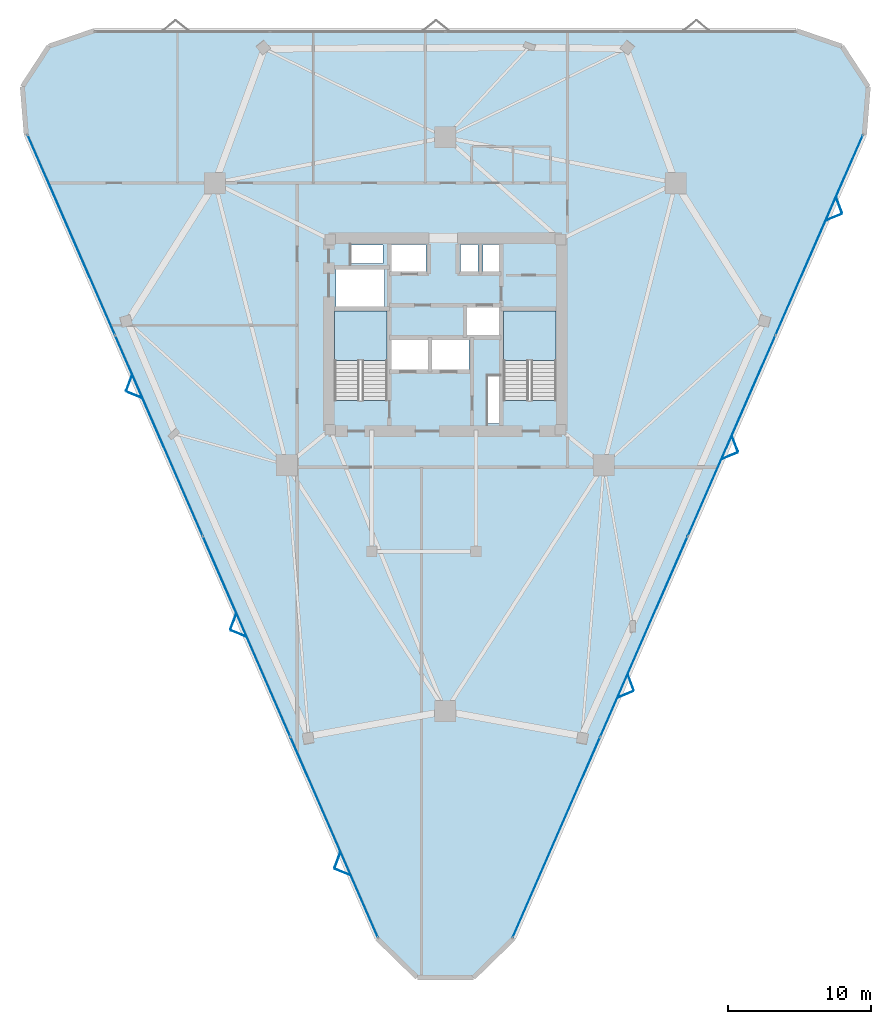
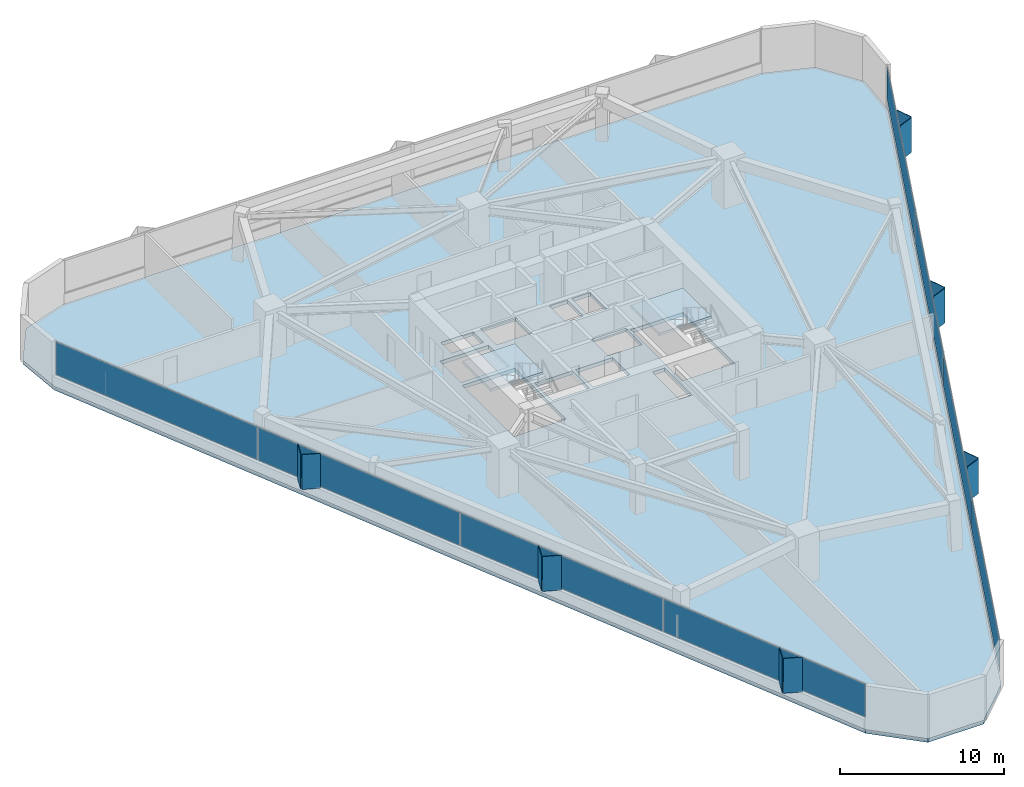
# One storey, part 10 of 15: 20 plates, 3 slabs, 4 elements without a shape of their own.
"""IFC4 building model written with IfcOpenShell, lengths in metres."""

import ifcopenshell
import ifcopenshell.guid

model = None  # the IFC model being written
_history = None  # IfcOwnerHistory: only IFC2X3 demands one
_inside = {}  # id of a spatial element -> (the spatial element, [elements in it])
_under = {}  # id of a project, library or spatial element -> (it, [spatial elements below it])
_declared = {}  # id of a project -> (the project, [libraries it declares])
_typed = {}  # id of a type object -> (the type object, [elements of that type])
_made_of = {}  # id of a material, layer set ... -> (it, [elements and type objects made of it])


def new_model(schema):
    """Start an empty IFC model of exactly this schema.

    Asked for "IFC4X3", IfcOpenShell would pick the latest addendum, in which some entities
    have other attributes; the version numbers below select the first issue.
    IFC2X3 requires an IfcOwnerHistory on every rooted entity: one is made here for all.
    """
    global model, _history
    if schema == "IFC4X3":
        model = ifcopenshell.file(schema_version=(4, 3, 0, 0))
    else:
        model = ifcopenshell.file(schema=schema)
    _inside.clear()
    _under.clear()
    _declared.clear()
    _typed.clear()
    _made_of.clear()
    _history = None
    if model.schema == "IFC2X3":
        org = make("IfcOrganization", Name="unknown")
        user = make(
            "IfcPersonAndOrganization",
            ThePerson=make("IfcPerson", FamilyName="unknown"),
            TheOrganization=org,
        )
        app = make(
            "IfcApplication",
            ApplicationDeveloper=org,
            Version="unknown",
            ApplicationFullName="unknown",
            ApplicationIdentifier="unknown",
        )
        _history = make(
            "IfcOwnerHistory",
            OwningUser=user,
            OwningApplication=app,
            ChangeAction="ADDED",
            CreationDate=0,
        )
    return model


def make(cls, **values):
    """One entity of the class cls with the attributes given. An attribute that is None is left unset."""
    return model.create_entity(
        cls, **{name: value for name, value in values.items() if value is not None}
    )


def rooted(cls, **values):
    """An entity with a GlobalId (a new one), such as an element, a storey or a relation."""
    return make(cls, GlobalId=ifcopenshell.guid.new(), OwnerHistory=_history, **values)


def si_unit(unit_type, name, prefix=None):
    """IfcSIUnit, for example si_unit("LENGTHUNIT", "METRE", prefix="MILLI")."""
    return make("IfcSIUnit", UnitType=unit_type, Prefix=prefix, Name=name)


def assignment(units):
    """IfcUnitAssignment: the units of a project."""
    return None if units is None else make("IfcUnitAssignment", Units=units)


def point(xyz):
    """IfcCartesianPoint."""
    return None if xyz is None else make("IfcCartesianPoint", Coordinates=xyz)


def direction(xyz):
    """IfcDirection."""
    return None if xyz is None else make("IfcDirection", DirectionRatios=xyz)


def frame(location, z_axis=None, x_axis=None):
    """IfcAxis2Placement3D, a coordinate frame: its origin and axes. An axis left out is left unset."""
    return make(
        "IfcAxis2Placement3D",
        Location=point(location),
        Axis=direction(z_axis),
        RefDirection=direction(x_axis),
    )


def frame_2d(location, x_axis=None):
    """IfcAxis2Placement2D, a coordinate frame in the plane: its origin and x axis."""
    return make(
        "IfcAxis2Placement2D", Location=point(location), RefDirection=direction(x_axis)
    )


def origin():
    """The frame at (0, 0, 0) with its axes left unset."""
    return frame((0.0, 0.0, 0.0))


def origin_2d():
    """The frame at (0, 0) in the plane with its x axis left unset."""
    return frame_2d((0.0, 0.0))


def place(relative_to, where):
    """IfcLocalPlacement: puts the frame where relative to a parent placement (None: the world)."""
    return make(
        "IfcLocalPlacement", PlacementRelTo=relative_to, RelativePlacement=where
    )


def context(
    kind, dimensions, precision=None, world=None, true_north=None, identifier=None
):
    """IfcGeometricRepresentationContext, for example the 3D "Model" context."""
    return make(
        "IfcGeometricRepresentationContext",
        ContextIdentifier=identifier,
        ContextType=kind,
        CoordinateSpaceDimension=dimensions,
        Precision=precision,
        WorldCoordinateSystem=world,
        TrueNorth=true_north,
    )


def subcontext(parent, identifier, kind, view, scale=None):
    """IfcGeometricRepresentationSubContext, for example "Body" below "Model"."""
    return make(
        "IfcGeometricRepresentationSubContext",
        ContextIdentifier=identifier,
        ContextType=kind,
        ParentContext=parent,
        TargetScale=scale,
        TargetView=view,
    )


def project(units=None, contexts=None):
    """IfcProject with its units and contexts."""
    return rooted(
        "IfcProject",
        Name="project",
        RepresentationContexts=contexts,
        UnitsInContext=assignment(units),
    )


def spatial(cls, under=None, at=None, **own):
    """A site, building, storey or space (cls), placed at a placement, below another one or the project."""
    s = rooted(cls, ObjectPlacement=at, **own)
    if under is not None:
        _under.setdefault(under.id(), (under, []))[1].append(s)
    return s


def polyline(points):
    """IfcPolyline through the points."""
    return make("IfcPolyline", Points=[point(p) for p in points])


def profile(cls, at=None, kind="AREA", **sizes):
    """A parametric profile (cls). Its sizes go by their IFC names, for example OverallWidth=200.0."""
    return make(cls, ProfileType=kind, Position=at, **sizes)


def rectangle(**sizes):
    """IfcRectangleProfileDef."""
    return profile("IfcRectangleProfileDef", **sizes)


def outline(outer, holes=None, kind="AREA"):
    """IfcArbitraryClosedProfileDef: a profile drawn as a closed curve; with holes, ...WithVoids."""
    if holes is None:
        return make("IfcArbitraryClosedProfileDef", ProfileType=kind, OuterCurve=outer)
    return make(
        "IfcArbitraryProfileDefWithVoids",
        ProfileType=kind,
        OuterCurve=outer,
        InnerCurves=holes,
    )


def extrude(swept, where, along, depth):
    """IfcExtrudedAreaSolid: the profile swept, set in the frame where, extruded along a direction by depth."""
    return make(
        "IfcExtrudedAreaSolid",
        SweptArea=swept,
        Position=where,
        ExtrudedDirection=direction(along),
        Depth=depth,
    )


def shape(context_of_items, identifier, shape_type, items):
    """IfcShapeRepresentation: the items that make up one representation, for example the "Body"."""
    return make(
        "IfcShapeRepresentation",
        ContextOfItems=context_of_items,
        RepresentationIdentifier=identifier,
        RepresentationType=shape_type,
        Items=items,
    )


def material(Name=None, Category=None):
    """IfcMaterial."""
    return make("IfcMaterial", Name=Name, Category=Category)


def layer(
    of_material, thickness, ventilated=None, Name=None, Category=None, Priority=None
):
    """IfcMaterialLayer: one layer of a wall or slab, of a material (None: an air gap)."""
    return make(
        "IfcMaterialLayer",
        Material=of_material,
        LayerThickness=thickness,
        IsVentilated=ventilated,
        Name=Name,
        Category=Category,
        Priority=Priority,
    )


def layer_set(layers, Name=None):
    """IfcMaterialLayerSet."""
    return make("IfcMaterialLayerSet", MaterialLayers=layers, LayerSetName=Name)


def made_of(thing, what):
    """Note that an element or type object is made of a material, layer set ...; save() writes the relation."""
    if what is not None:
        _made_of.setdefault(what.id(), (what, []))[1].append(thing)
    return thing


def type_object(cls, material=None, **own):
    """A type object (cls), such as IfcWallType, which elements share."""
    return made_of(rooted(cls, **own), material)


def element(
    cls,
    number,
    at=None,
    inside=None,
    cuts=None,
    type_object=None,
    material=None,
    context=None,
    identifier="Body",
    shape_type=None,
    held_by="IfcProductDefinitionShape",
    body=None,
    shapes=None,
    **own,
):
    """One element of the class cls, such as IfcWall. Its Tag is "e" and its number.

    at: its placement. inside: the storey or other place that contains it. cuts: it is an
    opening in that element (IfcRelVoidsElement). A single representation is given by context,
    identifier, shape_type and body (its items); several are given by shapes. held_by: the class
    of the entity that holds the representations. save() writes the other relations.
    """
    e = rooted(cls, Tag="e%d" % number, ObjectPlacement=at, **own)
    if body is not None:
        shapes = [shape(context, identifier, shape_type, body)]
    if shapes is not None:
        e.Representation = make(held_by, Representations=shapes)
    if inside is not None:
        _inside.setdefault(inside.id(), (inside, []))[1].append(e)
    if cuts is not None:
        rooted(
            "IfcRelVoidsElement", RelatingBuildingElement=cuts, RelatedOpeningElement=e
        )
    if type_object is not None:
        _typed.setdefault(type_object.id(), (type_object, []))[1].append(e)
    return made_of(e, material)


def aggregate(whole, parts):
    """IfcRelAggregates: a whole, such as a stair, and the parts it consists of."""
    return rooted("IfcRelAggregates", RelatingObject=whole, RelatedObjects=parts)


def save(model, path):
    """Write the relations noted so far, then the file.

    IfcRelAggregates (storeys below a building ...), IfcRelContainedInSpatialStructure (elements
    in a storey), IfcRelDefinesByType, IfcRelAssociatesMaterial and IfcRelDeclares: one each for
    every whole, place, type object, material and project.
    """
    for whole, parts in _under.values():
        aggregate(whole, parts)
    for where, things in _inside.values():
        rooted(
            "IfcRelContainedInSpatialStructure",
            RelatedElements=things,
            RelatingStructure=where,
        )
    for kind, things in _typed.values():
        rooted("IfcRelDefinesByType", RelatedObjects=things, RelatingType=kind)
    for what, things in _made_of.values():
        rooted("IfcRelAssociatesMaterial", RelatedObjects=things, RelatingMaterial=what)
    for by, libraries in _declared.values():
        rooted("IfcRelDeclares", RelatingContext=by, RelatedDefinitions=libraries)
    model.write(path)


model = new_model("IFC4")

# Units and contexts
model_context = context("Model", 3, precision=1e-05, world=origin(), true_north=direction((0.0, 1.0)))
body_context = subcontext(model_context, "Body", "Model", "MODEL_VIEW")
ifc_project = project(units=[si_unit("LENGTHUNIT", "METRE"), si_unit("AREAUNIT", "SQUARE_METRE"), si_unit("VOLUMEUNIT", "CUBIC_METRE"), si_unit("PLANEANGLEUNIT", "RADIAN"), si_unit("MASSUNIT", "GRAM", prefix="KILO")], contexts=[model_context])

# Site, building, storey
site_placement = place(None, origin())
site = spatial("IfcSite", under=ifc_project, at=site_placement, CompositionType="ELEMENT")
building_placement = place(site_placement, origin())
building = spatial("IfcBuilding", under=site, at=building_placement, Name="Talyreon Biosciences Tower", CompositionType="ELEMENT")
storey_placement = place(building_placement, frame((0.0, 0.0, 127.199951171875)))
storey = spatial("IfcBuildingStorey", under=building, at=storey_placement, Name="L33", CompositionType="ELEMENT", Elevation=127.199951171875)

# Curtain wall, plates
ifc_material_1 = material(Name="Thermally broken aluminium and low-E glazing", Category="aluminium")
ifc_layer_1 = layer(ifc_material_1, 0.18505859375)
ifc_layer_set_1 = layer_set([ifc_layer_1], Name="Thermally broken aluminium and low-E glazing")
curtain_wall_type = type_object("IfcCurtainWallType", Name="CurtainWall_Zone3Bioprocess", PredefinedType="NOTDEFINED", material=ifc_layer_set_1)
curtain_wall_1_placement = place(storey_placement, origin())
curtain_wall_1 = element("IfcCurtainWall", 1, at=curtain_wall_1_placement, inside=storey, type_object=curtain_wall_type, Name="L33 Unitised Curtain Wall FCW-L33-00", PredefinedType="NOTDEFINED")
ifc_material_2 = material(Name="Triple-silver low-E insulated glazing", Category="glass")
ifc_layer_2 = layer(ifc_material_2, 0.031982421875)
ifc_layer_set_2 = layer_set([ifc_layer_2], Name="Triple-silver low-E insulated glazing")
plate_type_1 = type_object("IfcPlateType", Name="CWGlazingPanel_32", PredefinedType="CURTAIN_PANEL", material=ifc_layer_set_2)
plate_1_placement = place(storey_placement, frame((58.235595703125, 32.8623046875, 0.875), z_axis=(0.0, 0.0, 1.0), x_axis=(-0.400058495919, 0.916489607057, 0.0)))
plate_1 = element("IfcPlate", 2, at=plate_1_placement, type_object=plate_type_1, Name="CW4 panel 1.1", PredefinedType="CURTAIN_PANEL", context=body_context, shape_type="SweptSolid", body=[
    extrude(rectangle(XDim=15.227294921875, YDim=0.031982421875, at=origin_2d()), origin(), (0.0, 0.0, 1.0), 2.43505859375),
])
plate_2_placement = place(storey_placement, frame((52.111328125, 46.892333984375, 0.875), z_axis=(0.0, 0.0, 1.0), x_axis=(-0.400058495919, 0.916489607057, 0.0)))
plate_2 = element("IfcPlate", 3, at=plate_2_placement, type_object=plate_type_1, Name="CW4 panel 2.1", PredefinedType="CURTAIN_PANEL", context=body_context, shape_type="SweptSolid", body=[
    extrude(rectangle(XDim=15.259765625, YDim=0.031982421875, at=origin_2d()), origin(), (0.0, 0.0, 1.0), 2.43505859375),
])
plate_3_placement = place(storey_placement, frame((45.980712890625, 60.937255859375, 0.875), z_axis=(0.0, 0.0, 1.0), x_axis=(-0.400058495919, 0.916489607057, 0.0)))
plate_3 = element("IfcPlate", 4, at=plate_3_placement, type_object=plate_type_1, Name="CW4 panel 3.1", PredefinedType="CURTAIN_PANEL", context=body_context, shape_type="SweptSolid", body=[
    extrude(rectangle(XDim=15.259765625, YDim=0.031982421875, at=origin_2d()), origin(), (0.0, 0.0, 1.0), 2.43505859375),
])
plate_4_placement = place(storey_placement, frame((39.8564453125, 74.96728515625, 0.875), z_axis=(0.0, 0.0, 1.0), x_axis=(-0.400058495919, 0.916489607057, 0.0)))
plate_4 = element("IfcPlate", 5, at=plate_4_placement, type_object=plate_type_1, Name="CW4 panel 4.1", PredefinedType="CURTAIN_PANEL", context=body_context, shape_type="SweptSolid", body=[
    extrude(rectangle(XDim=15.227294921875, YDim=0.031982421875, at=origin_2d()), origin(), (0.0, 0.0, 1.0), 2.43505859375),
])
aggregate(curtain_wall_1, [plate_1, plate_2, plate_3, plate_4])

curtain_wall_2_placement = place(storey_placement, origin())
curtain_wall_2 = element("IfcCurtainWall", 6, at=curtain_wall_2_placement, inside=storey, type_object=curtain_wall_type, Name="L33 Unitised Curtain Wall FCW-L33-08", PredefinedType="NOTDEFINED")
plate_5_placement = place(storey_placement, frame((92.1435546875, 74.96728515625, 0.875), z_axis=(0.0, 0.0, 1.0), x_axis=(-0.400058495919, -0.916489607057, 0.0)))
plate_5 = element("IfcPlate", 7, at=plate_5_placement, type_object=plate_type_1, Name="CW4 panel 1.1", PredefinedType="CURTAIN_PANEL", context=body_context, shape_type="SweptSolid", body=[
    extrude(rectangle(XDim=15.227294921875, YDim=0.031982421875, at=origin_2d()), origin(), (0.0, 0.0, 1.0), 2.43505859375),
])
plate_6_placement = place(storey_placement, frame((86.019287109375, 60.937255859375, 0.875), z_axis=(0.0, 0.0, 1.0), x_axis=(-0.400058495919, -0.916489607057, 0.0)))
plate_6 = element("IfcPlate", 8, at=plate_6_placement, type_object=plate_type_1, Name="CW4 panel 2.1", PredefinedType="CURTAIN_PANEL", context=body_context, shape_type="SweptSolid", body=[
    extrude(rectangle(XDim=15.259765625, YDim=0.031982421875, at=origin_2d()), origin(), (0.0, 0.0, 1.0), 2.43505859375),
])
plate_7_placement = place(storey_placement, frame((79.888671875, 46.892333984375, 0.875), z_axis=(0.0, 0.0, 1.0), x_axis=(-0.400058495919, -0.916489607057, 0.0)))
plate_7 = element("IfcPlate", 9, at=plate_7_placement, type_object=plate_type_1, Name="CW4 panel 3.1", PredefinedType="CURTAIN_PANEL", context=body_context, shape_type="SweptSolid", body=[
    extrude(rectangle(XDim=15.259765625, YDim=0.031982421875, at=origin_2d()), origin(), (0.0, 0.0, 1.0), 2.43505859375),
])
plate_8_placement = place(storey_placement, frame((73.764404296875, 32.8623046875, 0.875), z_axis=(0.0, 0.0, 1.0), x_axis=(-0.400058495919, -0.916489607057, 0.0)))
plate_8 = element("IfcPlate", 10, at=plate_8_placement, type_object=plate_type_1, Name="CW4 panel 4.1", PredefinedType="CURTAIN_PANEL", context=body_context, shape_type="SweptSolid", body=[
    extrude(rectangle(XDim=15.227294921875, YDim=0.031982421875, at=origin_2d()), origin(), (0.0, 0.0, 1.0), 2.43505859375),
])
aggregate(curtain_wall_2, [plate_5, plate_6, plate_7, plate_8])

# Plates
ifc_material_3 = material(Name="Ivory GFRC sunshade panel", Category="concrete")
ifc_layer_3 = layer(ifc_material_3, 0.044921875)
ifc_layer_set_3 = layer_set([ifc_layer_3], Name="Ivory GFRC sunshade panel")
plate_type_2 = type_object("IfcPlateType", Name="FoldedVSunshade_SunFace_SUNSHADE", PredefinedType="USERDEFINED", material=ifc_layer_set_3)
for number, where, z_axis, x_axis, name in (
    (11, (58.816162109375, 30.43310546875, 0.7900390625), (0.0, 0.0, 1.0), (-0.9244262712, 0.381360812243, 0.0), "L33 Folded V-Sunshade Panel 00.01L"),
    (12, (58.4560546875, 31.2578125, 0.7900390625), (0.0, 0.0, 1.0), (0.348866485937, 0.937172436102, 0.0), "L33 Folded V-Sunshade Panel 00.01R"),
    (13, (51.534912109375, 47.11328125, 0.7900390625), (0.0, 0.0, 1.0), (-0.9244262712, 0.381360812243, 0.0), "L33 Folded V-Sunshade Panel 00.02L"),
    (14, (51.1748046875, 47.93798828125, 0.7900390625), (0.0, 0.0, 1.0), (0.348866485937, 0.937172436102, 0.0), "L33 Folded V-Sunshade Panel 00.02R"),
    (15, (44.25390625, 63.793212890625, 0.7900390625), (0.0, 0.0, 1.0), (-0.9244262712, 0.381360812243, 0.0), "L33 Folded V-Sunshade Panel 00.03L"),
    (16, (43.893798828125, 64.6181640625, 0.7900390625), (0.0, 0.0, 1.0), (0.348866485937, 0.937172436102, 0.0), "L33 Folded V-Sunshade Panel 00.03R"),
    (17, (93.530517578125, 77.044677734375, 0.7900390625), (0.0, 0.0, 1.0), (0.348866485937, -0.937172436102, 0.0), "L33 Folded V-Sunshade Panel 08.01L"),
    (18, (93.17041015625, 76.2197265625, 0.7900390625), (0.0, 0.0, 1.0), (-0.9244262712, -0.381360812243, 0.0), "L33 Folded V-Sunshade Panel 08.01R"),
    (19, (86.24951171875, 60.364501953125, 0.7900390625), (0.0, 0.0, 1.0), (0.348866485937, -0.937172436102, 0.0), "L33 Folded V-Sunshade Panel 08.02L"),
    (20, (85.889404296875, 59.539794921875, 0.7900390625), (0.0, 0.0, 1.0), (-0.9244262712, -0.381360812243, 0.0), "L33 Folded V-Sunshade Panel 08.02R"),
    (21, (78.96826171875, 43.684326171875, 0.7900390625), (0.0, 0.0, 1.0), (0.348866485937, -0.937172436102, 0.0), "L33 Folded V-Sunshade Panel 08.03L"),
    (22, (78.608154296875, 42.859619140625, 0.7900390625), (0.0, 0.0, 1.0), (-0.9244262712, -0.381360812243, 0.0), "L33 Folded V-Sunshade Panel 08.03R"),
):
    element("IfcPlate", number, at=place(storey_placement, frame(where, z_axis=z_axis, x_axis=x_axis)), inside=storey, type_object=plate_type_2, Name=name, ObjectType="SUNSHADE", PredefinedType="USERDEFINED", context=body_context, shape_type="SweptSolid", body=[
        extrude(rectangle(XDim=1.14990234375, YDim=0.044921875, at=origin_2d()), origin(), (0.0, 0.0, 1.0), 2.5849609375),
    ])

# Stair, slab
ifc_material_4 = material(Name="Concrete C40/50", Category="concrete")
stair_type = type_object("IfcStairType", Name="DoglegEscapeStair_3650", PredefinedType="HALF_TURN_STAIR", material=ifc_material_4)
stair_1_placement = place(storey_placement, origin())
stair_1 = element("IfcStair", 23, at=stair_1_placement, inside=storey, type_object=stair_type, Name="L33 Core Escape Stair 1", PredefinedType="HALF_TURN_STAIR")
ifc_layer_4 = layer(ifc_material_4, 0.199951171875)
ifc_layer_set_4 = layer_set([ifc_layer_4], Name="Concrete C40/50")
slab_type_1 = type_object("IfcSlabType", Name="StairLandingSlab_200", PredefinedType="LANDING", material=ifc_layer_set_4)
slab_1_placement = place(storey_placement, frame((0.0, 0.0, 1.625)))
slab_1 = element("IfcSlab", 24, at=slab_1_placement, type_object=slab_type_1, Name="ST-1 landing 1", PredefinedType="LANDING", context=body_context, shape_type="SweptSolid", body=[
    extrude(outline(polyline([(61.929931640625, 66.199951171875), (61.929931640625, 69.64990234375), (58.25, 69.64990234375), (58.25, 66.199951171875), (61.929931640625, 66.199951171875)])), origin(), (0.0, 0.0, 1.0), 0.199951171875),
])
aggregate(stair_1, [slab_1])

stair_2_placement = place(storey_placement, origin())
stair_2 = element("IfcStair", 25, at=stair_2_placement, inside=storey, type_object=stair_type, Name="L33 Core Escape Stair 2", PredefinedType="HALF_TURN_STAIR")
slab_2_placement = place(storey_placement, frame((0.0, 0.0, 1.625)))
slab_2 = element("IfcSlab", 26, at=slab_2_placement, type_object=slab_type_1, Name="ST-2 landing 1", PredefinedType="LANDING", context=body_context, shape_type="SweptSolid", body=[
    extrude(outline(polyline([(73.75, 66.199951171875), (73.75, 69.64990234375), (70.070068359375, 69.64990234375), (70.070068359375, 66.199951171875), (73.75, 66.199951171875)])), origin(), (0.0, 0.0, 1.0), 0.199951171875),
])
aggregate(stair_2, [slab_2])

# Slab
ifc_layer_5 = layer(ifc_material_4, 0.27490234375)
ifc_layer_set_5 = layer_set([ifc_layer_5], Name="Concrete C40/50")
slab_type_2 = type_object("IfcSlabType", Name="WetLabFloorSlab_275", PredefinedType="FLOOR", material=ifc_layer_set_5)
slab_3_placement = place(storey_placement, frame((0.0, 0.0, -0.27490234375)))
element("IfcSlab", 27, at=slab_3_placement, inside=storey, type_object=slab_type_2, Name="L33 Structural Floor Slab", PredefinedType="FLOOR", context=body_context, shape_type="SweptSolid", body=[
    extrude(outline(polyline([(61.234375, 25.79296875), (36.711181640625, 81.97265625), (36.4375, 85.335693359375), (38.285400390625, 88.158447265625), (41.476806640625, 89.2529296875), (90.523193359375, 89.2529296875), (93.714599609375, 88.158447265625), (95.5625, 85.335693359375), (95.288818359375, 81.97265625), (70.765625, 25.79296875), (67.959716796875, 23.056640625), (64.040283203125, 23.056640625), (61.234375, 25.79296875)]), holes=[polyline([(61.929931640625, 69.64990234375), (61.929931640625, 63.407958984375), (58.25, 63.407958984375), (58.25, 69.64990234375), (61.929931640625, 69.64990234375)]), polyline([(64.800048828125, 67.64990234375), (64.800048828125, 65.550048828125), (62.199951171875, 65.550048828125), (62.199951171875, 67.64990234375), (64.800048828125, 67.64990234375)]), polyline([(67.64990234375, 67.64990234375), (67.64990234375, 65.550048828125), (65.050048828125, 65.550048828125), (65.050048828125, 67.64990234375), (67.64990234375, 67.64990234375)]), polyline([(61.75, 69.97998046875), (58.35009765625, 69.97998046875), (58.35009765625, 72.550048828125), (61.75, 72.550048828125), (61.75, 69.97998046875)]), polyline([(64.64990234375, 72.35009765625), (62.199951171875, 72.35009765625), (62.199951171875, 74.300048828125), (64.64990234375, 74.300048828125), (64.64990234375, 72.35009765625)]), polyline([(61.64990234375, 74.25), (61.64990234375, 72.9599609375), (59.39990234375, 72.9599609375), (59.39990234375, 74.25), (61.64990234375, 74.25)]), polyline([(69.820068359375, 61.800048828125), (68.9599609375, 61.800048828125), (68.9599609375, 65.10009765625), (69.820068359375, 65.10009765625), (69.820068359375, 61.800048828125)]), polyline([(73.75, 63.407958984375), (70.070068359375, 63.407958984375), (70.070068359375, 69.64990234375), (73.75, 69.64990234375), (73.75, 63.407958984375)]), polyline([(69.89990234375, 69.949951171875), (69.89990234375, 67.949951171875), (67.5, 67.949951171875), (67.5, 69.949951171875), (69.89990234375, 69.949951171875)]), polyline([(68.300048828125, 72.35009765625), (67.050048828125, 72.35009765625), (67.050048828125, 74.300048828125), (68.300048828125, 74.300048828125), (68.300048828125, 72.35009765625)]), polyline([(69.919921875, 72.35009765625), (68.6201171875, 72.35009765625), (68.6201171875, 74.300048828125), (69.919921875, 74.300048828125), (69.919921875, 72.35009765625)])]), origin(), (0.0, 0.0, 1.0), 0.27490234375),
])

save(model, "model.ifc")
